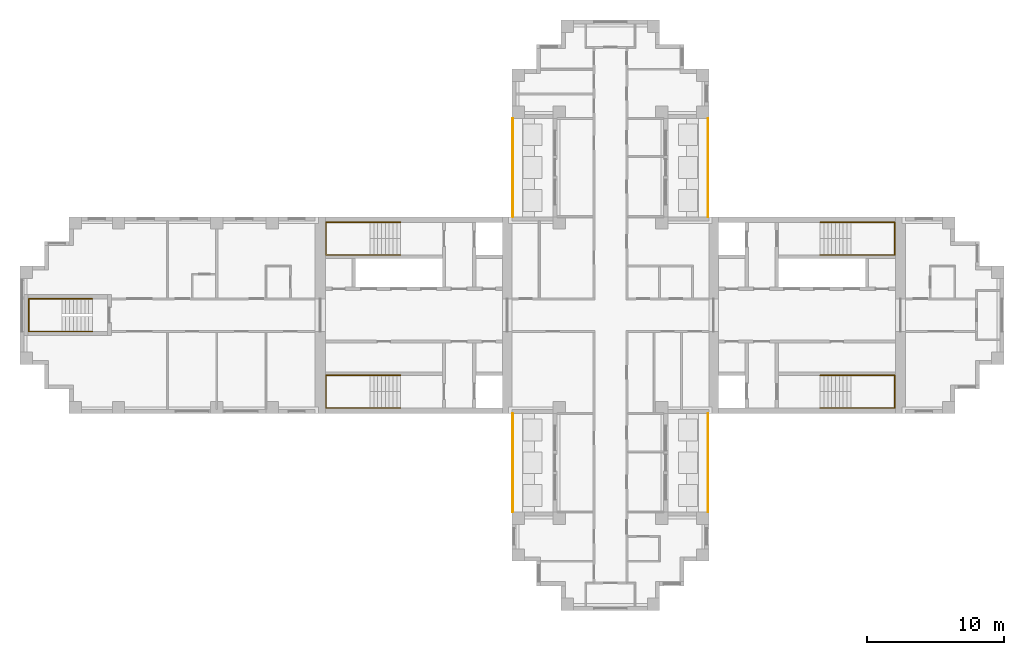
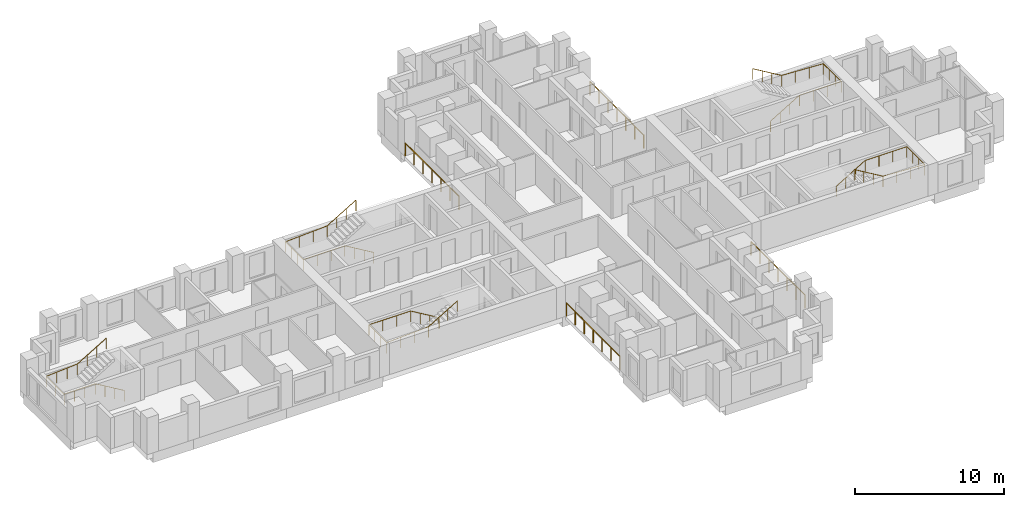
# One storey, part 9 of 10: 9 railings.
"""IFC4 building model written with IfcOpenShell, lengths in metres."""

from ifc_helpers import new_model, si_unit, direction, frame, origin, origin_2d, place, context, subcontext, project, spatial, circle, extrude, material, type_object, element, save


model = new_model("IFC4")

# Units and contexts
model_context = context("Model", 3, precision=1e-05, world=origin(), true_north=direction((0.0, 1.0)))
body_context = subcontext(model_context, "Body", "Model", "MODEL_VIEW")
ifc_project = project(units=[si_unit("LENGTHUNIT", "METRE"), si_unit("AREAUNIT", "SQUARE_METRE"), si_unit("VOLUMEUNIT", "CUBIC_METRE"), si_unit("PLANEANGLEUNIT", "RADIAN"), si_unit("MASSUNIT", "GRAM", prefix="KILO")], contexts=[model_context])

# Site, building, storey
site_placement = place(None, origin())
site = spatial("IfcSite", under=ifc_project, at=site_placement, CompositionType="ELEMENT")
building_placement = place(site_placement, origin())
building = spatial("IfcBuilding", under=site, at=building_placement, Name="Fustian Cross Tower", CompositionType="ELEMENT")
storey_placement = place(building_placement, frame((0.0, 0.0, 191.699951171875)))
storey = spatial("IfcBuildingStorey", under=building, at=storey_placement, Name="L60", CompositionType="ELEMENT", Elevation=191.699951171875)

# Railings
ifc_material_1 = material(Name="Stainless steel and glass", Category="steel")
railing_type_1 = type_object("IfcRailingType", Name="GR1 BALCONY GUARD 1100", PredefinedType="GUARDRAIL", material=ifc_material_1)
for number, where, name in (
    (1, (7.14990234375, 7.199951171875, 0.0), "Balcony guard"),
    (2, (-7.14990234375, 7.199951171875, 0.0), "Balcony guard"),
    (3, (7.14990234375, -14.39990234375, 0.0), "Balcony guard"),
    (4, (-7.14990234375, -14.39990234375, 0.0), "Balcony guard"),
):
    element("IfcRailing", number, at=place(storey_placement, frame(where)), inside=storey, type_object=railing_type_1, Name=name, PredefinedType="GUARDRAIL", context=body_context, shape_type="SweptSolid", body=[
        extrude(circle(Radius=0.02392578125, at=origin_2d()), frame((0.0, 0.0, 1.076171875), z_axis=(0.0, 1.0, 0.0), x_axis=(-1.0, 0.0, 0.0)), (0.0, 0.0, 1.0), 7.199951171875),
        extrude(circle(Radius=0.02099609375, at=origin_2d()), origin(), (0.0, 0.0, 1.0), 1.052001953125),
        extrude(circle(Radius=0.02099609375, at=origin_2d()), frame((0.0, 1.199951171875, 0.0)), (0.0, 0.0, 1.0), 1.052001953125),
        extrude(circle(Radius=0.02099609375, at=origin_2d()), frame((0.0, 2.39990234375, 0.0)), (0.0, 0.0, 1.0), 1.052001953125),
        extrude(circle(Radius=0.02099609375, at=origin_2d()), frame((0.0, 3.60009765625, 0.0)), (0.0, 0.0, 1.0), 1.052001953125),
        extrude(circle(Radius=0.02099609375, at=origin_2d()), frame((0.0, 4.800048828125, 0.0)), (0.0, 0.0, 1.0), 1.052001953125),
        extrude(circle(Radius=0.02099609375, at=origin_2d()), frame((0.0, 6.0, 0.0)), (0.0, 0.0, 1.0), 1.052001953125),
        extrude(circle(Radius=0.02099609375, at=origin_2d()), frame((0.0, 7.199951171875, 0.0)), (0.0, 0.0, 1.0), 1.052001953125),
    ])
ifc_material_2 = material(Name="Stainless steel", Category="steel")
railing_type_2 = type_object("IfcRailingType", Name="STAIR HANDRAIL", PredefinedType="HANDRAIL", material=ifc_material_2)
railing_1_placement = place(storey_placement, frame((15.35009765625, 4.39990234375, 0.166748046875)))
element("IfcRailing", 5, at=railing_1_placement, inside=storey, type_object=railing_type_2, Name="Stair ST1 handrail 1", PredefinedType="HANDRAIL", context=body_context, shape_type="SweptSolid", body=[
    extrude(circle(Radius=0.02490234375, at=origin_2d()), frame((0.0, 0.0, 0.875), z_axis=(0.859305625298, 0.0, 0.511462454469), x_axis=(0.0, 1.0, 0.0)), (0.0, 0.0, 1.0), 2.606689453125),
    extrude(circle(Radius=0.02490234375, at=origin_2d()), frame((2.239990234375, 0.0, 2.2080078125), z_axis=(1.0, 0.0, 0.0), x_axis=(0.0, 1.0, 0.0)), (0.0, 0.0, 1.0), 3.219970703125),
    extrude(circle(Radius=0.02490234375, at=origin_2d()), frame((5.4599609375, 0.0, 2.2080078125), z_axis=(0.0, 1.0, 0.0), x_axis=(-1.0, 0.0, 0.0)), (0.0, 0.0, 1.0), 2.400146484375),
    extrude(circle(Radius=0.02490234375, at=origin_2d()), frame((5.4599609375, 2.400146484375, 2.2080078125), z_axis=(-0.998661817807, 0.0, 0.051716280352), x_axis=(0.0, -1.0, 0.0)), (0.0, 0.0, 1.0), 3.224365234375),
    extrude(circle(Radius=0.02490234375, at=origin_2d()), frame((2.239990234375, 2.400146484375, 2.375), z_axis=(-0.859305625298, 0.0, 0.511462454469), x_axis=(0.0, -1.0, 0.0)), (0.0, 0.0, 1.0), 2.606689453125),
    extrude(circle(Radius=0.02001953125, at=origin_2d()), origin(), (0.0, 0.0, 1.0), 0.849853515625),
    extrude(circle(Radius=0.02001953125, at=origin_2d()), frame((0.74658203125, 0.0, 0.4443359375)), (0.0, 0.0, 1.0), 0.849853515625),
    extrude(circle(Radius=0.02001953125, at=origin_2d()), frame((1.493408203125, 0.0, 0.888916015625)), (0.0, 0.0, 1.0), 0.849853515625),
    extrude(circle(Radius=0.02001953125, at=origin_2d()), frame((2.239990234375, 0.0, 1.333251953125)), (0.0, 0.0, 1.0), 0.849853515625),
    extrude(circle(Radius=0.02001953125, at=origin_2d()), frame((3.313232421875, 0.0, 1.333251953125)), (0.0, 0.0, 1.0), 0.849853515625),
    extrude(circle(Radius=0.02001953125, at=origin_2d()), frame((4.38671875, 0.0, 1.333251953125)), (0.0, 0.0, 1.0), 0.849853515625),
    extrude(circle(Radius=0.02001953125, at=origin_2d()), frame((5.4599609375, 0.0, 1.333251953125)), (0.0, 0.0, 1.0), 0.849853515625),
    extrude(circle(Radius=0.02001953125, at=origin_2d()), frame((5.4599609375, 0.800048828125, 1.333251953125)), (0.0, 0.0, 1.0), 0.849853515625),
    extrude(circle(Radius=0.02001953125, at=origin_2d()), frame((5.4599609375, 1.60009765625, 1.333251953125)), (0.0, 0.0, 1.0), 0.849853515625),
    extrude(circle(Radius=0.02001953125, at=origin_2d()), frame((5.4599609375, 2.400146484375, 1.333251953125)), (0.0, 0.0, 1.0), 0.849853515625),
    extrude(circle(Radius=0.02001953125, at=origin_2d()), frame((4.38671875, 2.400146484375, 1.388916015625)), (0.0, 0.0, 1.0), 0.849853515625),
    extrude(circle(Radius=0.02001953125, at=origin_2d()), frame((3.313232421875, 2.400146484375, 1.4443359375)), (0.0, 0.0, 1.0), 0.849853515625),
    extrude(circle(Radius=0.02001953125, at=origin_2d()), frame((2.239990234375, 2.400146484375, 1.5)), (0.0, 0.0, 1.0), 0.849853515625),
    extrude(circle(Radius=0.02001953125, at=origin_2d()), frame((1.493408203125, 2.400146484375, 1.9443359375)), (0.0, 0.0, 1.0), 0.849853515625),
    extrude(circle(Radius=0.02001953125, at=origin_2d()), frame((0.74658203125, 2.400146484375, 2.388916015625)), (0.0, 0.0, 1.0), 0.849853515625),
    extrude(circle(Radius=0.02001953125, at=origin_2d()), frame((0.0, 2.400146484375, 2.833251953125)), (0.0, 0.0, 1.0), 0.849853515625),
])
railing_2_placement = place(storey_placement, frame((15.35009765625, -4.39990234375, 0.166748046875)))
element("IfcRailing", 6, at=railing_2_placement, inside=storey, type_object=railing_type_2, Name="Stair ST2 handrail 1", PredefinedType="HANDRAIL", context=body_context, shape_type="SweptSolid", body=[
    extrude(circle(Radius=0.02490234375, at=origin_2d()), frame((0.0, 0.0, 0.875), z_axis=(0.859305625298, 0.0, 0.511462454469), x_axis=(0.0, 1.0, 0.0)), (0.0, 0.0, 1.0), 2.606689453125),
    extrude(circle(Radius=0.02490234375, at=origin_2d()), frame((2.239990234375, 0.0, 2.2080078125), z_axis=(1.0, 0.0, 0.0), x_axis=(0.0, 1.0, 0.0)), (0.0, 0.0, 1.0), 3.219970703125),
    extrude(circle(Radius=0.02490234375, at=origin_2d()), frame((5.4599609375, 0.0, 2.2080078125), z_axis=(0.0, -1.0, 0.0), x_axis=(1.0, 0.0, 0.0)), (0.0, 0.0, 1.0), 2.400146484375),
    extrude(circle(Radius=0.02490234375, at=origin_2d()), frame((5.4599609375, -2.400146484375, 2.2080078125), z_axis=(-0.998661817807, 0.0, 0.051716280352), x_axis=(0.0, -1.0, 0.0)), (0.0, 0.0, 1.0), 3.224365234375),
    extrude(circle(Radius=0.02490234375, at=origin_2d()), frame((2.239990234375, -2.400146484375, 2.375), z_axis=(-0.859305625298, 0.0, 0.511462454469), x_axis=(0.0, -1.0, 0.0)), (0.0, 0.0, 1.0), 2.606689453125),
    extrude(circle(Radius=0.02001953125, at=origin_2d()), origin(), (0.0, 0.0, 1.0), 0.849853515625),
    extrude(circle(Radius=0.02001953125, at=origin_2d()), frame((0.74658203125, 0.0, 0.4443359375)), (0.0, 0.0, 1.0), 0.849853515625),
    extrude(circle(Radius=0.02001953125, at=origin_2d()), frame((1.493408203125, 0.0, 0.888916015625)), (0.0, 0.0, 1.0), 0.849853515625),
    extrude(circle(Radius=0.02001953125, at=origin_2d()), frame((2.239990234375, 0.0, 1.333251953125)), (0.0, 0.0, 1.0), 0.849853515625),
    extrude(circle(Radius=0.02001953125, at=origin_2d()), frame((3.313232421875, 0.0, 1.333251953125)), (0.0, 0.0, 1.0), 0.849853515625),
    extrude(circle(Radius=0.02001953125, at=origin_2d()), frame((4.38671875, 0.0, 1.333251953125)), (0.0, 0.0, 1.0), 0.849853515625),
    extrude(circle(Radius=0.02001953125, at=origin_2d()), frame((5.4599609375, 0.0, 1.333251953125)), (0.0, 0.0, 1.0), 0.849853515625),
    extrude(circle(Radius=0.02001953125, at=origin_2d()), frame((5.4599609375, -0.800048828125, 1.333251953125)), (0.0, 0.0, 1.0), 0.849853515625),
    extrude(circle(Radius=0.02001953125, at=origin_2d()), frame((5.4599609375, -1.60009765625, 1.333251953125)), (0.0, 0.0, 1.0), 0.849853515625),
    extrude(circle(Radius=0.02001953125, at=origin_2d()), frame((5.4599609375, -2.400146484375, 1.333251953125)), (0.0, 0.0, 1.0), 0.849853515625),
    extrude(circle(Radius=0.02001953125, at=origin_2d()), frame((4.38671875, -2.400146484375, 1.388916015625)), (0.0, 0.0, 1.0), 0.849853515625),
    extrude(circle(Radius=0.02001953125, at=origin_2d()), frame((3.313232421875, -2.400146484375, 1.4443359375)), (0.0, 0.0, 1.0), 0.849853515625),
    extrude(circle(Radius=0.02001953125, at=origin_2d()), frame((2.239990234375, -2.400146484375, 1.5)), (0.0, 0.0, 1.0), 0.849853515625),
    extrude(circle(Radius=0.02001953125, at=origin_2d()), frame((1.493408203125, -2.400146484375, 1.9443359375)), (0.0, 0.0, 1.0), 0.849853515625),
    extrude(circle(Radius=0.02001953125, at=origin_2d()), frame((0.74658203125, -2.400146484375, 2.388916015625)), (0.0, 0.0, 1.0), 0.849853515625),
    extrude(circle(Radius=0.02001953125, at=origin_2d()), frame((0.0, -2.400146484375, 2.833251953125)), (0.0, 0.0, 1.0), 0.849853515625),
])
railing_3_placement = place(storey_placement, frame((-15.35009765625, 4.39990234375, 0.166748046875)))
element("IfcRailing", 7, at=railing_3_placement, inside=storey, type_object=railing_type_2, Name="Stair ST3 handrail 1", PredefinedType="HANDRAIL", context=body_context, shape_type="SweptSolid", body=[
    extrude(circle(Radius=0.02490234375, at=origin_2d()), frame((0.0, 0.0, 0.875), z_axis=(-0.859305625298, 0.0, 0.511462454469), x_axis=(0.0, -1.0, 0.0)), (0.0, 0.0, 1.0), 2.606689453125),
    extrude(circle(Radius=0.02490234375, at=origin_2d()), frame((-2.239990234375, 0.0, 2.2080078125), z_axis=(-1.0, 0.0, 0.0), x_axis=(0.0, -1.0, 0.0)), (0.0, 0.0, 1.0), 3.219970703125),
    extrude(circle(Radius=0.02490234375, at=origin_2d()), frame((-5.4599609375, 0.0, 2.2080078125), z_axis=(0.0, 1.0, 0.0), x_axis=(-1.0, 0.0, 0.0)), (0.0, 0.0, 1.0), 2.400146484375),
    extrude(circle(Radius=0.02490234375, at=origin_2d()), frame((-5.4599609375, 2.400146484375, 2.2080078125), z_axis=(0.998661817807, 0.0, 0.051716280352), x_axis=(0.0, 1.0, 0.0)), (0.0, 0.0, 1.0), 3.224365234375),
    extrude(circle(Radius=0.02490234375, at=origin_2d()), frame((-2.239990234375, 2.400146484375, 2.375), z_axis=(0.859305625298, 0.0, 0.511462454469), x_axis=(0.0, 1.0, 0.0)), (0.0, 0.0, 1.0), 2.606689453125),
    extrude(circle(Radius=0.02001953125, at=origin_2d()), origin(), (0.0, 0.0, 1.0), 0.849853515625),
    extrude(circle(Radius=0.02001953125, at=origin_2d()), frame((-0.74658203125, 0.0, 0.4443359375)), (0.0, 0.0, 1.0), 0.849853515625),
    extrude(circle(Radius=0.02001953125, at=origin_2d()), frame((-1.493408203125, 0.0, 0.888916015625)), (0.0, 0.0, 1.0), 0.849853515625),
    extrude(circle(Radius=0.02001953125, at=origin_2d()), frame((-2.239990234375, 0.0, 1.333251953125)), (0.0, 0.0, 1.0), 0.849853515625),
    extrude(circle(Radius=0.02001953125, at=origin_2d()), frame((-3.313232421875, 0.0, 1.333251953125)), (0.0, 0.0, 1.0), 0.849853515625),
    extrude(circle(Radius=0.02001953125, at=origin_2d()), frame((-4.38671875, 0.0, 1.333251953125)), (0.0, 0.0, 1.0), 0.849853515625),
    extrude(circle(Radius=0.02001953125, at=origin_2d()), frame((-5.4599609375, 0.0, 1.333251953125)), (0.0, 0.0, 1.0), 0.849853515625),
    extrude(circle(Radius=0.02001953125, at=origin_2d()), frame((-5.4599609375, 0.800048828125, 1.333251953125)), (0.0, 0.0, 1.0), 0.849853515625),
    extrude(circle(Radius=0.02001953125, at=origin_2d()), frame((-5.4599609375, 1.60009765625, 1.333251953125)), (0.0, 0.0, 1.0), 0.849853515625),
    extrude(circle(Radius=0.02001953125, at=origin_2d()), frame((-5.4599609375, 2.400146484375, 1.333251953125)), (0.0, 0.0, 1.0), 0.849853515625),
    extrude(circle(Radius=0.02001953125, at=origin_2d()), frame((-4.38671875, 2.400146484375, 1.388916015625)), (0.0, 0.0, 1.0), 0.849853515625),
    extrude(circle(Radius=0.02001953125, at=origin_2d()), frame((-3.313232421875, 2.400146484375, 1.4443359375)), (0.0, 0.0, 1.0), 0.849853515625),
    extrude(circle(Radius=0.02001953125, at=origin_2d()), frame((-2.239990234375, 2.400146484375, 1.5)), (0.0, 0.0, 1.0), 0.849853515625),
    extrude(circle(Radius=0.02001953125, at=origin_2d()), frame((-1.493408203125, 2.400146484375, 1.9443359375)), (0.0, 0.0, 1.0), 0.849853515625),
    extrude(circle(Radius=0.02001953125, at=origin_2d()), frame((-0.74658203125, 2.400146484375, 2.388916015625)), (0.0, 0.0, 1.0), 0.849853515625),
    extrude(circle(Radius=0.02001953125, at=origin_2d()), frame((0.0, 2.400146484375, 2.833251953125)), (0.0, 0.0, 1.0), 0.849853515625),
])
railing_4_placement = place(storey_placement, frame((-15.35009765625, -4.39990234375, 0.166748046875)))
element("IfcRailing", 8, at=railing_4_placement, inside=storey, type_object=railing_type_2, Name="Stair ST4 handrail 1", PredefinedType="HANDRAIL", context=body_context, shape_type="SweptSolid", body=[
    extrude(circle(Radius=0.02490234375, at=origin_2d()), frame((0.0, 0.0, 0.875), z_axis=(-0.859305625298, 0.0, 0.511462454469), x_axis=(0.0, -1.0, 0.0)), (0.0, 0.0, 1.0), 2.606689453125),
    extrude(circle(Radius=0.02490234375, at=origin_2d()), frame((-2.239990234375, 0.0, 2.2080078125), z_axis=(-1.0, 0.0, 0.0), x_axis=(0.0, -1.0, 0.0)), (0.0, 0.0, 1.0), 3.219970703125),
    extrude(circle(Radius=0.02490234375, at=origin_2d()), frame((-5.4599609375, 0.0, 2.2080078125), z_axis=(0.0, -1.0, 0.0), x_axis=(1.0, 0.0, 0.0)), (0.0, 0.0, 1.0), 2.400146484375),
    extrude(circle(Radius=0.02490234375, at=origin_2d()), frame((-5.4599609375, -2.400146484375, 2.2080078125), z_axis=(0.998661817807, 0.0, 0.051716280352), x_axis=(0.0, 1.0, 0.0)), (0.0, 0.0, 1.0), 3.224365234375),
    extrude(circle(Radius=0.02490234375, at=origin_2d()), frame((-2.239990234375, -2.400146484375, 2.375), z_axis=(0.859305625298, 0.0, 0.511462454469), x_axis=(0.0, 1.0, 0.0)), (0.0, 0.0, 1.0), 2.606689453125),
    extrude(circle(Radius=0.02001953125, at=origin_2d()), origin(), (0.0, 0.0, 1.0), 0.849853515625),
    extrude(circle(Radius=0.02001953125, at=origin_2d()), frame((-0.74658203125, 0.0, 0.4443359375)), (0.0, 0.0, 1.0), 0.849853515625),
    extrude(circle(Radius=0.02001953125, at=origin_2d()), frame((-1.493408203125, 0.0, 0.888916015625)), (0.0, 0.0, 1.0), 0.849853515625),
    extrude(circle(Radius=0.02001953125, at=origin_2d()), frame((-2.239990234375, 0.0, 1.333251953125)), (0.0, 0.0, 1.0), 0.849853515625),
    extrude(circle(Radius=0.02001953125, at=origin_2d()), frame((-3.313232421875, 0.0, 1.333251953125)), (0.0, 0.0, 1.0), 0.849853515625),
    extrude(circle(Radius=0.02001953125, at=origin_2d()), frame((-4.38671875, 0.0, 1.333251953125)), (0.0, 0.0, 1.0), 0.849853515625),
    extrude(circle(Radius=0.02001953125, at=origin_2d()), frame((-5.4599609375, 0.0, 1.333251953125)), (0.0, 0.0, 1.0), 0.849853515625),
    extrude(circle(Radius=0.02001953125, at=origin_2d()), frame((-5.4599609375, -0.800048828125, 1.333251953125)), (0.0, 0.0, 1.0), 0.849853515625),
    extrude(circle(Radius=0.02001953125, at=origin_2d()), frame((-5.4599609375, -1.60009765625, 1.333251953125)), (0.0, 0.0, 1.0), 0.849853515625),
    extrude(circle(Radius=0.02001953125, at=origin_2d()), frame((-5.4599609375, -2.400146484375, 1.333251953125)), (0.0, 0.0, 1.0), 0.849853515625),
    extrude(circle(Radius=0.02001953125, at=origin_2d()), frame((-4.38671875, -2.400146484375, 1.388916015625)), (0.0, 0.0, 1.0), 0.849853515625),
    extrude(circle(Radius=0.02001953125, at=origin_2d()), frame((-3.313232421875, -2.400146484375, 1.4443359375)), (0.0, 0.0, 1.0), 0.849853515625),
    extrude(circle(Radius=0.02001953125, at=origin_2d()), frame((-2.239990234375, -2.400146484375, 1.5)), (0.0, 0.0, 1.0), 0.849853515625),
    extrude(circle(Radius=0.02001953125, at=origin_2d()), frame((-1.493408203125, -2.400146484375, 1.9443359375)), (0.0, 0.0, 1.0), 0.849853515625),
    extrude(circle(Radius=0.02001953125, at=origin_2d()), frame((-0.74658203125, -2.400146484375, 2.388916015625)), (0.0, 0.0, 1.0), 0.849853515625),
    extrude(circle(Radius=0.02001953125, at=origin_2d()), frame((0.0, -2.400146484375, 2.833251953125)), (0.0, 0.0, 1.0), 0.849853515625),
])
railing_5_placement = place(storey_placement, frame((-37.89990234375, -1.199951171875, 0.166748046875)))
element("IfcRailing", 9, at=railing_5_placement, inside=storey, type_object=railing_type_2, Name="Stair ST9 handrail 1", PredefinedType="HANDRAIL", context=body_context, shape_type="SweptSolid", body=[
    extrude(circle(Radius=0.02490234375, at=origin_2d()), frame((0.0, 0.0, 0.875), z_axis=(-0.859305625298, 0.0, 0.511462454469), x_axis=(0.0, -1.0, 0.0)), (0.0, 0.0, 1.0), 2.606689453125),
    extrude(circle(Radius=0.02490234375, at=origin_2d()), frame((-2.239990234375, 0.0, 2.2080078125), z_axis=(-1.0, 0.0, 0.0), x_axis=(0.0, -1.0, 0.0)), (0.0, 0.0, 1.0), 2.420166015625),
    extrude(circle(Radius=0.02490234375, at=origin_2d()), frame((-4.66015625, 0.0, 2.2080078125), z_axis=(0.0, 1.0, 0.0), x_axis=(-1.0, 0.0, 0.0)), (0.0, 0.0, 1.0), 2.39990234375),
    extrude(circle(Radius=0.02490234375, at=origin_2d()), frame((-4.66015625, 2.39990234375, 2.2080078125), z_axis=(0.997634852044, 0.0, 0.068736467663), x_axis=(0.0, 1.0, 0.0)), (0.0, 0.0, 1.0), 2.426025390625),
    extrude(circle(Radius=0.02490234375, at=origin_2d()), frame((-2.239990234375, 2.39990234375, 2.375), z_axis=(0.859305625298, 0.0, 0.511462454469), x_axis=(0.0, 1.0, 0.0)), (0.0, 0.0, 1.0), 2.606689453125),
    extrude(circle(Radius=0.02001953125, at=origin_2d()), origin(), (0.0, 0.0, 1.0), 0.849853515625),
    extrude(circle(Radius=0.02001953125, at=origin_2d()), frame((-0.74658203125, 0.0, 0.4443359375)), (0.0, 0.0, 1.0), 0.849853515625),
    extrude(circle(Radius=0.02001953125, at=origin_2d()), frame((-1.493408203125, 0.0, 0.888916015625)), (0.0, 0.0, 1.0), 0.849853515625),
    extrude(circle(Radius=0.02001953125, at=origin_2d()), frame((-2.239990234375, 0.0, 1.333251953125)), (0.0, 0.0, 1.0), 0.849853515625),
    extrude(circle(Radius=0.02001953125, at=origin_2d()), frame((-3.046630859375, 0.0, 1.333251953125)), (0.0, 0.0, 1.0), 0.849853515625),
    extrude(circle(Radius=0.02001953125, at=origin_2d()), frame((-3.853515625, 0.0, 1.333251953125)), (0.0, 0.0, 1.0), 0.849853515625),
    extrude(circle(Radius=0.02001953125, at=origin_2d()), frame((-4.66015625, 0.0, 1.333251953125)), (0.0, 0.0, 1.0), 0.849853515625),
    extrude(circle(Radius=0.02001953125, at=origin_2d()), frame((-4.66015625, 1.199951171875, 1.333251953125)), (0.0, 0.0, 1.0), 0.849853515625),
    extrude(circle(Radius=0.02001953125, at=origin_2d()), frame((-4.66015625, 2.39990234375, 1.333251953125)), (0.0, 0.0, 1.0), 0.849853515625),
    extrude(circle(Radius=0.02001953125, at=origin_2d()), frame((-3.853515625, 2.39990234375, 1.388916015625)), (0.0, 0.0, 1.0), 0.849853515625),
    extrude(circle(Radius=0.02001953125, at=origin_2d()), frame((-3.046630859375, 2.39990234375, 1.4443359375)), (0.0, 0.0, 1.0), 0.849853515625),
    extrude(circle(Radius=0.02001953125, at=origin_2d()), frame((-2.239990234375, 2.39990234375, 1.5)), (0.0, 0.0, 1.0), 0.849853515625),
    extrude(circle(Radius=0.02001953125, at=origin_2d()), frame((-1.493408203125, 2.39990234375, 1.9443359375)), (0.0, 0.0, 1.0), 0.849853515625),
    extrude(circle(Radius=0.02001953125, at=origin_2d()), frame((-0.74658203125, 2.39990234375, 2.388916015625)), (0.0, 0.0, 1.0), 0.849853515625),
    extrude(circle(Radius=0.02001953125, at=origin_2d()), frame((0.0, 2.39990234375, 2.833251953125)), (0.0, 0.0, 1.0), 0.849853515625),
])

save(model, "model.ifc")
